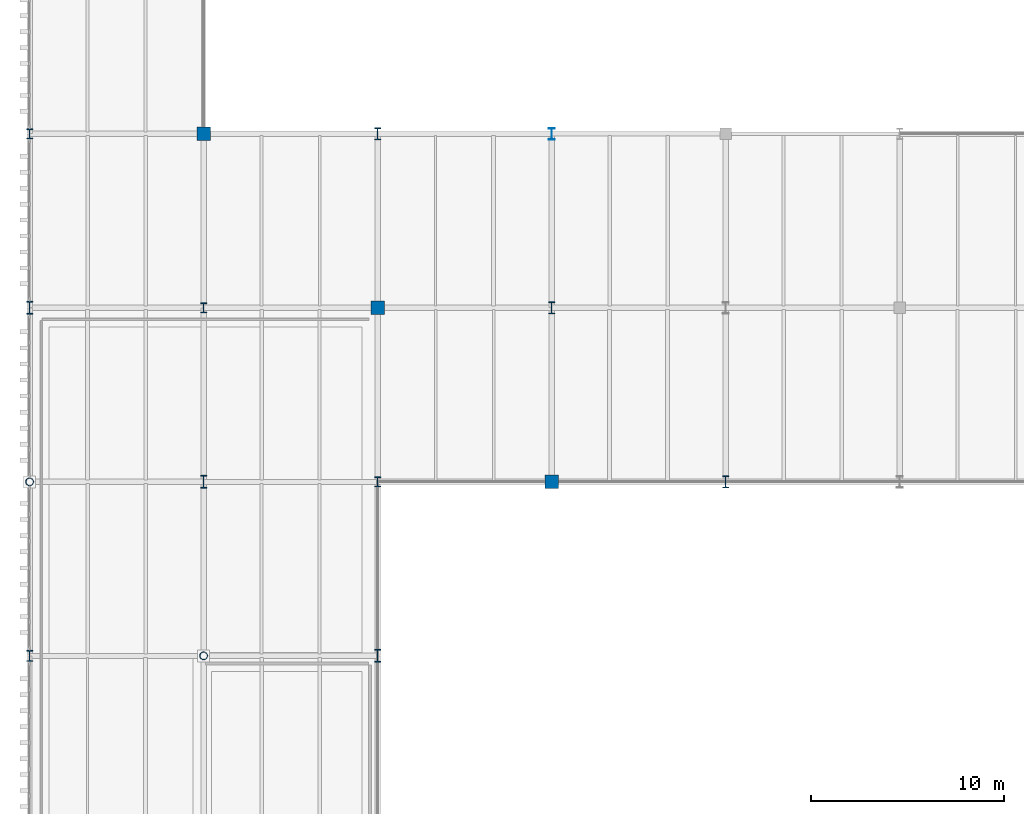
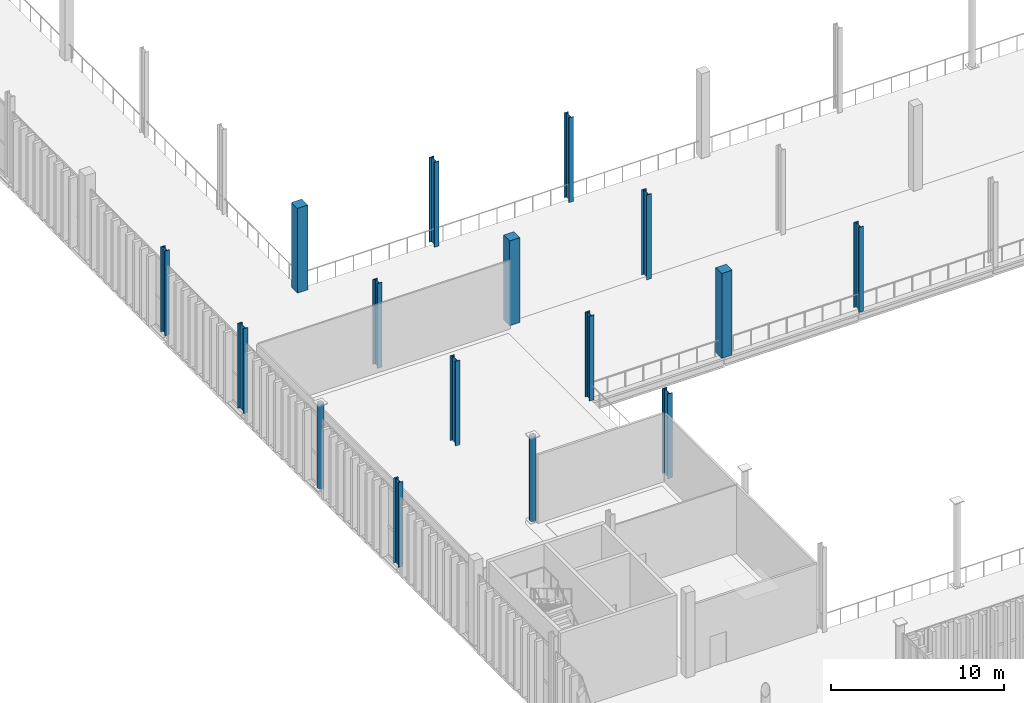
# One storey, part 3 of 211: 16 columns.
"""IFC4 building model written with IfcOpenShell, lengths in metres."""

from ifc_helpers import new_model, si_unit, direction, frame, origin, origin_2d, place, context, subcontext, project, spatial, rectangle, hollow_circle, i_section, extrude, material, material_profile, profile_set, type_object, element, save


model = new_model("IFC4")

# Units and contexts
model_context = context("Model", 3, precision=1e-05, world=origin(), true_north=direction((0.0, 1.0)))
body_context = subcontext(model_context, "Body", "Model", "MODEL_VIEW")
ifc_project = project(units=[si_unit("LENGTHUNIT", "METRE"), si_unit("AREAUNIT", "SQUARE_METRE"), si_unit("VOLUMEUNIT", "CUBIC_METRE"), si_unit("PLANEANGLEUNIT", "RADIAN"), si_unit("MASSUNIT", "GRAM", prefix="KILO")], contexts=[model_context])

# Site, building, storey
site_placement = place(None, origin())
site = spatial("IfcSite", under=ifc_project, at=site_placement, CompositionType="ELEMENT")
building_placement = place(site_placement, origin())
building = spatial("IfcBuilding", under=site, at=building_placement, Name="Barlavento Convention Centre", CompositionType="ELEMENT")
storey_placement = place(building_placement, frame((0.0, 0.0, 6.0)))
storey = spatial("IfcBuildingStorey", under=building, at=storey_placement, Name="L01", CompositionType="ELEMENT", Elevation=6.0)

# Columns
ifc_material_1 = material(Name="Steel S355", Category="steel")
ifc_material_profile_1 = material_profile(ifc_material_1, hollow_circle(Radius=0.203125, WallThickness=0.01611328125, at=origin_2d()), Name="CHS 406.4x16.0")
ifc_profile_set_1 = profile_set([ifc_material_profile_1], Name="Steel S355")
column_type_1 = type_object("IfcColumnType", Name="STR-COL-CHS406", PredefinedType="COLUMN", material=ifc_profile_set_1)
for number, where, z_axis, x_axis, name in (
    (1, (0.0, 45.0, 0.0), (0.0, 0.0, 1.0), (1.0, 0.0, 0.0), "L01 column SC14"),
    (2, (9.0, 36.0, 0.0), (0.0, 0.0, 1.0), (1.0, 0.0, 0.0), "L01 column SC14"),
):
    element("IfcColumn", number, at=place(storey_placement, frame(where, z_axis=z_axis, x_axis=x_axis)), inside=storey, type_object=column_type_1, Name=name, PredefinedType="COLUMN", context=body_context, shape_type="SweptSolid", body=[
        extrude(hollow_circle(Radius=0.203125, WallThickness=0.01611328125, at=origin_2d()), origin(), (0.0, 0.0, 1.0), 6.0),
    ])
ifc_material_profile_2 = material_profile(ifc_material_1, i_section(OverallWidth=0.300048828125, OverallDepth=0.60009765625, WebThickness=0.015380859375, FlangeThickness=0.030029296875, FilletRadius=0.027099609375, at=origin_2d()), Name="HEB 600")
ifc_profile_set_2 = profile_set([ifc_material_profile_2], Name="Steel S355")
column_type_2 = type_object("IfcColumnType", Name="STR-COL-HEB600", PredefinedType="COLUMN", material=ifc_profile_set_2)
column_1_placement = place(storey_placement, frame((27.0, 63.0, 0.0), z_axis=(0.0, 0.0, 1.0), x_axis=(1.0, 0.0, 0.0)))
element("IfcColumn", 3, at=column_1_placement, inside=storey, type_object=column_type_2, Name="L01 column SC08", PredefinedType="COLUMN", context=body_context, shape_type="SweptSolid", body=[
    extrude(i_section(OverallWidth=0.300048828125, OverallDepth=0.60009765625, WebThickness=0.015380859375, FlangeThickness=0.030029296875, FilletRadius=0.027099609375, at=origin_2d()), origin(), (0.0, 0.0, 1.0), 6.0),
])
ifc_material_profile_3 = material_profile(ifc_material_1, i_section(OverallWidth=0.305908203125, OverallDepth=0.52392578125, WebThickness=0.02099609375, FlangeThickness=0.0400390625, FilletRadius=0.027099609375, at=origin_2d()), Name="HEM 500")
ifc_profile_set_3 = profile_set([ifc_material_profile_3], Name="Steel S355")
column_type_3 = type_object("IfcColumnType", Name="STR-COL-HEM500", PredefinedType="COLUMN", material=ifc_profile_set_3)
for number, where, z_axis, x_axis, name in (
    (4, (0.0, 63.0, 0.0), (0.0, 0.0, 1.0), (1.0, 0.0, 0.0), "L01 column SC07"),
    (5, (9.0, 54.0, 0.0), (0.0, 0.0, 1.0), (1.0, 0.0, 0.0), "L01 column SC07"),
    (6, (18.0, 45.0, 0.0), (0.0, 0.0, 1.0), (1.0, 0.0, 0.0), "L01 column SC07"),
):
    element("IfcColumn", number, at=place(storey_placement, frame(where, z_axis=z_axis, x_axis=x_axis)), inside=storey, type_object=column_type_3, Name=name, PredefinedType="COLUMN", context=body_context, shape_type="SweptSolid", body=[
        extrude(i_section(OverallWidth=0.305908203125, OverallDepth=0.52392578125, WebThickness=0.02099609375, FlangeThickness=0.0400390625, FilletRadius=0.027099609375, at=origin_2d()), origin(), (0.0, 0.0, 1.0), 6.0),
    ])
ifc_material_profile_4 = material_profile(ifc_material_1, i_section(OverallWidth=0.305908203125, OverallDepth=0.572021484375, WebThickness=0.02099609375, FlangeThickness=0.0400390625, FilletRadius=0.027099609375, at=origin_2d()), Name="HEM 550")
ifc_profile_set_4 = profile_set([ifc_material_profile_4], Name="Steel S355")
column_type_4 = type_object("IfcColumnType", Name="STR-COL-HEM550", PredefinedType="COLUMN", material=ifc_profile_set_4)
column_2_placement = place(storey_placement, frame((0.0, 36.0, 0.0), z_axis=(0.0, 0.0, 1.0), x_axis=(1.0, 0.0, 0.0)))
element("IfcColumn", 7, at=column_2_placement, inside=storey, type_object=column_type_4, Name="L01 column SC06", PredefinedType="COLUMN", context=body_context, shape_type="SweptSolid", body=[
    extrude(i_section(OverallWidth=0.305908203125, OverallDepth=0.572021484375, WebThickness=0.02099609375, FlangeThickness=0.0400390625, FilletRadius=0.027099609375, at=origin_2d()), origin(), (0.0, 0.0, 1.0), 6.0),
])
ifc_material_profile_5 = material_profile(ifc_material_1, i_section(OverallWidth=0.304931640625, OverallDepth=0.6201171875, WebThickness=0.02099609375, FlangeThickness=0.0400390625, FilletRadius=0.027099609375, at=origin_2d()), Name="HEM 600")
ifc_profile_set_5 = profile_set([ifc_material_profile_5], Name="Steel S355")
column_type_5 = type_object("IfcColumnType", Name="STR-COL-HEM600", PredefinedType="COLUMN", material=ifc_profile_set_5)
for number, where, z_axis, x_axis, name in (
    (8, (18.0, 63.0, 0.0), (0.0, 0.0, 1.0), (1.0, 0.0, 0.0), "L01 column SC05"),
    (9, (27.0, 54.0, 0.0), (0.0, 0.0, 1.0), (1.0, 0.0, 0.0), "L01 column SC05"),
    (10, (36.0, 45.0, 0.0), (0.0, 0.0, 1.0), (1.0, 0.0, 0.0), "L01 column SC05"),
):
    element("IfcColumn", number, at=place(storey_placement, frame(where, z_axis=z_axis, x_axis=x_axis)), inside=storey, type_object=column_type_5, Name=name, PredefinedType="COLUMN", context=body_context, shape_type="SweptSolid", body=[
        extrude(i_section(OverallWidth=0.304931640625, OverallDepth=0.6201171875, WebThickness=0.02099609375, FlangeThickness=0.0400390625, FilletRadius=0.027099609375, at=origin_2d()), origin(), (0.0, 0.0, 1.0), 6.0),
    ])
ifc_material_2 = material(Name="Steel S460", Category="steel")
ifc_material_profile_6 = material_profile(ifc_material_2, i_section(OverallWidth=0.304931640625, OverallDepth=0.66796875, WebThickness=0.02099609375, FlangeThickness=0.0400390625, FilletRadius=0.027099609375, at=origin_2d()), Name="HEM 650")
ifc_profile_set_6 = profile_set([ifc_material_profile_6], Name="Steel S460")
column_type_6 = type_object("IfcColumnType", Name="STR-COL-HEM650", PredefinedType="COLUMN", material=ifc_profile_set_6)
for number, where, z_axis, x_axis, name in (
    (11, (0.0, 54.0, 0.0), (0.0, 0.0, 1.0), (1.0, 0.0, 0.0), "L01 column SC04"),
    (12, (9.0, 45.0, 0.0), (0.0, 0.0, 1.0), (1.0, 0.0, 0.0), "L01 column SC04"),
    (13, (18.0, 36.0, 0.0), (0.0, 0.0, 1.0), (1.0, 0.0, 0.0), "L01 column SC04"),
):
    element("IfcColumn", number, at=place(storey_placement, frame(where, z_axis=z_axis, x_axis=x_axis)), inside=storey, type_object=column_type_6, Name=name, PredefinedType="COLUMN", context=body_context, shape_type="SweptSolid", body=[
        extrude(i_section(OverallWidth=0.304931640625, OverallDepth=0.66796875, WebThickness=0.02099609375, FlangeThickness=0.0400390625, FilletRadius=0.027099609375, at=origin_2d()), origin(), (0.0, 0.0, 1.0), 6.0),
    ])
ifc_material_3 = material(Name="Concrete C40/50", Category="concrete")
ifc_material_profile_7 = material_profile(ifc_material_3, rectangle(XDim=0.699951171875, YDim=0.699951171875, at=origin_2d()), Name="RC 700x700")
ifc_profile_set_7 = profile_set([ifc_material_profile_7], Name="Concrete C40/50")
column_type_7 = type_object("IfcColumnType", Name="STR-COL-RC700", PredefinedType="COLUMN", material=ifc_profile_set_7)
for number, where, z_axis, x_axis, name in (
    (14, (9.0, 63.0, 0.0), (0.0, 0.0, 1.0), (1.0, 0.0, 0.0), "L01 column CC06"),
    (15, (18.0, 54.0, 0.0), (0.0, 0.0, 1.0), (1.0, 0.0, 0.0), "L01 column CC06"),
    (16, (27.0, 45.0, 0.0), (0.0, 0.0, 1.0), (1.0, 0.0, 0.0), "L01 column CC06"),
):
    element("IfcColumn", number, at=place(storey_placement, frame(where, z_axis=z_axis, x_axis=x_axis)), inside=storey, type_object=column_type_7, Name=name, PredefinedType="COLUMN", context=body_context, shape_type="SweptSolid", body=[
        extrude(rectangle(XDim=0.699951171875, YDim=0.699951171875, at=origin_2d()), origin(), (0.0, 0.0, 1.0), 6.0),
    ])

save(model, "model.ifc")
